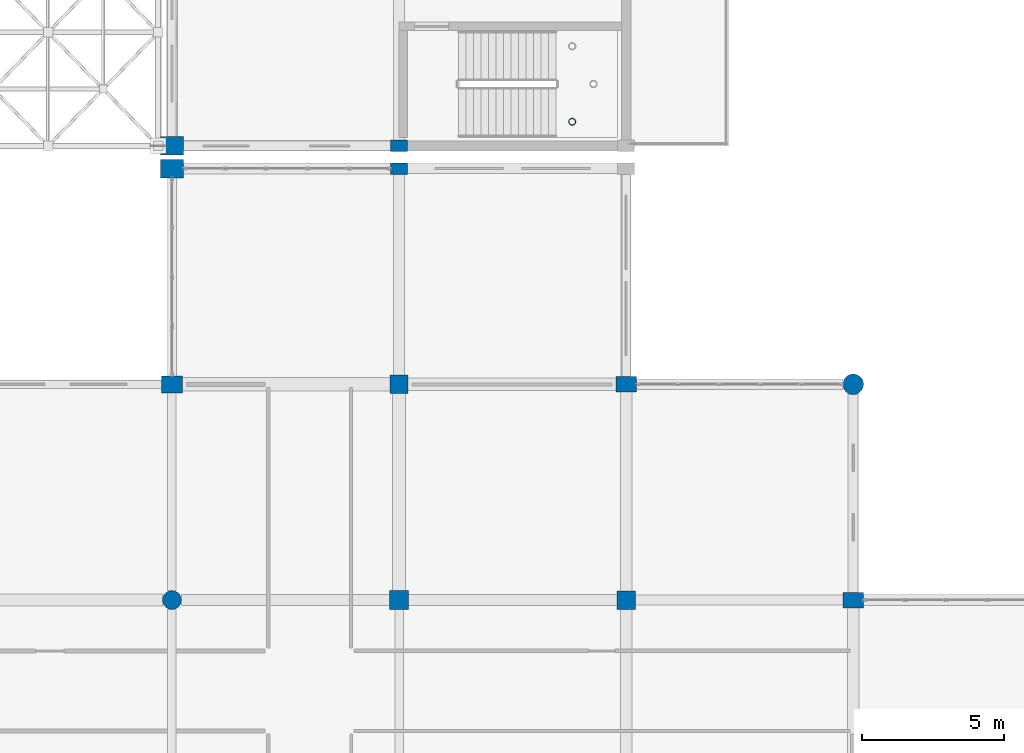
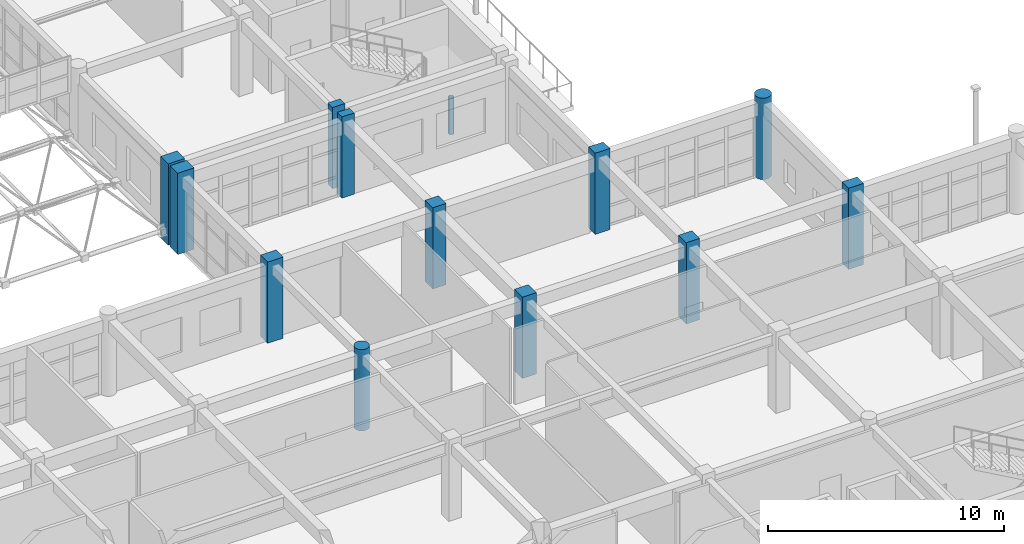
# One storey, part 4 of 195: 13 columns.
"""IFC4 building model written with IfcOpenShell, lengths in metres."""

from ifc_helpers import new_model, si_unit, direction, frame, origin, origin_2d, place, context, subcontext, project, spatial, rectangle, circle, hollow_circle, extrude, material, material_profile, profile_set, type_object, element, save


model = new_model("IFC4")

# Units and contexts
model_context = context("Model", 3, precision=1e-05, world=origin(), true_north=direction((0.0, 1.0)))
body_context = subcontext(model_context, "Body", "Model", "MODEL_VIEW")
ifc_project = project(units=[si_unit("LENGTHUNIT", "METRE"), si_unit("AREAUNIT", "SQUARE_METRE"), si_unit("VOLUMEUNIT", "CUBIC_METRE"), si_unit("PLANEANGLEUNIT", "RADIAN"), si_unit("MASSUNIT", "GRAM", prefix="KILO")], contexts=[model_context])

# Site, building, storey
site_placement = place(None, origin())
site = spatial("IfcSite", under=ifc_project, at=site_placement, CompositionType="ELEMENT")
building_placement = place(site_placement, origin())
building = spatial("IfcBuilding", under=site, at=building_placement, Name="Kharva Crest Polytechnic", CompositionType="ELEMENT")
storey_placement = place(building_placement, frame((0.0, 0.0, 9.0)))
storey = spatial("IfcBuildingStorey", under=building, at=storey_placement, Name="L02", CompositionType="ELEMENT", Elevation=9.0)

# Columns
ifc_material_1 = material(Name="Concrete C40/50", Category="concrete")
ifc_material_profile_1 = material_profile(ifc_material_1, rectangle(XDim=0.60009765625, YDim=0.39990234375, at=origin_2d()), Name="RECT 600 X 400")
ifc_profile_set_1 = profile_set([ifc_material_profile_1], Name="Concrete C40/50")
column_type_1 = type_object("IfcColumnType", Name="COL-EXT-600X400", PredefinedType="COLUMN", material=ifc_profile_set_1)
for number, where, z_axis, x_axis, name in (
    (1, (40.0, 38.0, 0.0), (0.0, 0.0, 1.0), (1.0, 0.0, 0.0), "L02 Column 6/F"),
    (2, (40.0, 38.800048828125, 0.0), (0.0, 0.0, 1.0), (1.0, 0.0, 0.0), "L02 Column 6/FJ"),
):
    element("IfcColumn", number, at=place(storey_placement, frame(where, z_axis=z_axis, x_axis=x_axis)), inside=storey, type_object=column_type_1, Name=name, PredefinedType="COLUMN", context=body_context, shape_type="SweptSolid", body=[
        extrude(rectangle(XDim=0.60009765625, YDim=0.39990234375, at=origin_2d()), origin(), (0.0, 0.0, 1.0), 4.199951171875),
    ])
ifc_material_profile_2 = material_profile(ifc_material_1, rectangle(XDim=0.719970703125, YDim=0.550048828125, at=origin_2d()), Name="RECT 720 X 550")
ifc_profile_set_2 = profile_set([ifc_material_profile_2], Name="Concrete C40/50")
column_type_2 = type_object("IfcColumnType", Name="COL-EXT-720X550", PredefinedType="COLUMN", material=ifc_profile_set_2)
for number, where, z_axis, x_axis, name in (
    (3, (48.0, 30.39990234375, 0.0), (0.0, 0.0, 1.0), (1.0, 0.0, 0.0), "L02 Column 7/E"),
    (4, (56.0, 22.800048828125, 0.0), (0.0, 0.0, 1.0), (1.0, 0.0, 0.0), "L02 Column 8/D"),
):
    element("IfcColumn", number, at=place(storey_placement, frame(where, z_axis=z_axis, x_axis=x_axis)), inside=storey, type_object=column_type_2, Name=name, PredefinedType="COLUMN", context=body_context, shape_type="SweptSolid", body=[
        extrude(rectangle(XDim=0.719970703125, YDim=0.550048828125, at=origin_2d()), origin(), (0.0, 0.0, 1.0), 4.199951171875),
    ])
ifc_material_profile_3 = material_profile(ifc_material_1, rectangle(XDim=0.75, YDim=0.60009765625, at=origin_2d()), Name="RECT 750 X 600")
ifc_profile_set_3 = profile_set([ifc_material_profile_3], Name="Concrete C40/50")
column_type_3 = type_object("IfcColumnType", Name="COL-EXT-750X600", PredefinedType="COLUMN", material=ifc_profile_set_3)
column_1_placement = place(storey_placement, frame((32.0, 30.39990234375, 0.0), z_axis=(0.0, 0.0, 1.0), x_axis=(1.0, 0.0, 0.0)))
element("IfcColumn", 5, at=column_1_placement, inside=storey, type_object=column_type_3, Name="L02 Column 5/E", PredefinedType="COLUMN", context=body_context, shape_type="SweptSolid", body=[
    extrude(rectangle(XDim=0.75, YDim=0.60009765625, at=origin_2d()), origin(), (0.0, 0.0, 1.0), 4.199951171875),
])
ifc_material_profile_4 = material_profile(ifc_material_1, rectangle(XDim=0.800048828125, YDim=0.64990234375, at=origin_2d()), Name="RECT 800 X 650")
ifc_profile_set_4 = profile_set([ifc_material_profile_4], Name="Concrete C40/50")
column_type_4 = type_object("IfcColumnType", Name="COL-EXT-800X650", PredefinedType="COLUMN", material=ifc_profile_set_4)
for number, where, z_axis, x_axis, name in (
    (6, (32.0, 38.0, 0.0), (0.0, 0.0, 1.0), (1.0, 0.0, 0.0), "L02 Column 5/F"),
    (7, (32.0, 38.800048828125, 0.0), (0.0, 0.0, 1.0), (1.0, 0.0, 0.0), "L02 Column 5/FJ"),
):
    element("IfcColumn", number, at=place(storey_placement, frame(where, z_axis=z_axis, x_axis=x_axis)), inside=storey, type_object=column_type_4, Name=name, PredefinedType="COLUMN", context=body_context, shape_type="SweptSolid", body=[
        extrude(rectangle(XDim=0.800048828125, YDim=0.64990234375, at=origin_2d()), origin(), (0.0, 0.0, 1.0), 4.199951171875),
    ])
ifc_material_profile_5 = material_profile(ifc_material_1, circle(Radius=0.360107421875, at=origin_2d()), Name="DIA 720")
ifc_profile_set_5 = profile_set([ifc_material_profile_5], Name="Concrete C40/50")
column_type_5 = type_object("IfcColumnType", Name="COL-EXT-DIA720", PredefinedType="COLUMN", material=ifc_profile_set_5)
column_2_placement = place(storey_placement, frame((56.0, 30.39990234375, 0.0), z_axis=(0.0, 0.0, 1.0), x_axis=(1.0, 0.0, 0.0)))
element("IfcColumn", 8, at=column_2_placement, inside=storey, type_object=column_type_5, Name="L02 Column 8/E", PredefinedType="COLUMN", context=body_context, shape_type="SweptSolid", body=[
    extrude(circle(Radius=0.360107421875, at=origin_2d()), origin(), (0.0, 0.0, 1.0), 4.199951171875),
])
ifc_material_profile_6 = material_profile(ifc_material_1, rectangle(XDim=0.64990234375, YDim=0.64990234375, at=origin_2d()), Name="RECT 650 X 650")
ifc_profile_set_6 = profile_set([ifc_material_profile_6], Name="Concrete C40/50")
column_type_6 = type_object("IfcColumnType", Name="COL-INT-650X650", PredefinedType="COLUMN", material=ifc_profile_set_6)
for number, where, z_axis, x_axis, name in (
    (9, (40.0, 30.39990234375, 0.0), (0.0, 0.0, 1.0), (1.0, 0.0, 0.0), "L02 Column 6/E"),
    (10, (48.0, 22.800048828125, 0.0), (0.0, 0.0, 1.0), (1.0, 0.0, 0.0), "L02 Column 7/D"),
):
    element("IfcColumn", number, at=place(storey_placement, frame(where, z_axis=z_axis, x_axis=x_axis)), inside=storey, type_object=column_type_6, Name=name, PredefinedType="COLUMN", context=body_context, shape_type="SweptSolid", body=[
        extrude(rectangle(XDim=0.64990234375, YDim=0.64990234375, at=origin_2d()), origin(), (0.0, 0.0, 1.0), 4.199951171875),
    ])
ifc_material_profile_7 = material_profile(ifc_material_1, rectangle(XDim=0.679931640625, YDim=0.679931640625, at=origin_2d()), Name="RECT 680 X 680")
ifc_profile_set_7 = profile_set([ifc_material_profile_7], Name="Concrete C40/50")
column_type_7 = type_object("IfcColumnType", Name="COL-INT-680X680", PredefinedType="COLUMN", material=ifc_profile_set_7)
column_3_placement = place(storey_placement, frame((40.0, 22.800048828125, 0.0), z_axis=(0.0, 0.0, 1.0), x_axis=(1.0, 0.0, 0.0)))
element("IfcColumn", 11, at=column_3_placement, inside=storey, type_object=column_type_7, Name="L02 Column 6/D", PredefinedType="COLUMN", context=body_context, shape_type="SweptSolid", body=[
    extrude(rectangle(XDim=0.679931640625, YDim=0.679931640625, at=origin_2d()), origin(), (0.0, 0.0, 1.0), 4.199951171875),
])
ifc_material_profile_8 = material_profile(ifc_material_1, circle(Radius=0.330078125, at=origin_2d()), Name="DIA 660")
ifc_profile_set_8 = profile_set([ifc_material_profile_8], Name="Concrete C40/50")
column_type_8 = type_object("IfcColumnType", Name="COL-INT-DIA660", PredefinedType="COLUMN", material=ifc_profile_set_8)
column_4_placement = place(storey_placement, frame((32.0, 22.800048828125, 0.0), z_axis=(0.0, 0.0, 1.0), x_axis=(1.0, 0.0, 0.0)))
element("IfcColumn", 12, at=column_4_placement, inside=storey, type_object=column_type_8, Name="L02 Column 5/D", PredefinedType="COLUMN", context=body_context, shape_type="SweptSolid", body=[
    extrude(circle(Radius=0.330078125, at=origin_2d()), origin(), (0.0, 0.0, 1.0), 4.199951171875),
])
ifc_material_2 = material(Name="Steel S355", Category="steel")
ifc_material_profile_9 = material_profile(ifc_material_2, hollow_circle(Radius=0.122314453125, WallThickness=0.010009765625, at=origin_2d()), Name="CHS 244.5X10.0")
ifc_profile_set_9 = profile_set([ifc_material_profile_9], Name="Steel S355")
column_type_9 = type_object("IfcColumnType", Name="COL-STL-CHS244", PredefinedType="COLUMN", material=ifc_profile_set_9)
column_5_placement = place(storey_placement, frame((46.10009765625, 39.64990234375, 0.0), z_axis=(0.0, 0.0, 1.0), x_axis=(1.0, 0.0, 0.0)))
element("IfcColumn", 13, at=column_5_placement, inside=storey, type_object=column_type_9, Name="L02 Stair ST-02 Landing Support Column SW", PredefinedType="COLUMN", context=body_context, shape_type="SweptSolid", body=[
    extrude(hollow_circle(Radius=0.122314453125, WallThickness=0.010009765625, at=origin_2d()), origin(), (0.0, 0.0, 1.0), 1.89990234375),
])

save(model, "model.ifc")
